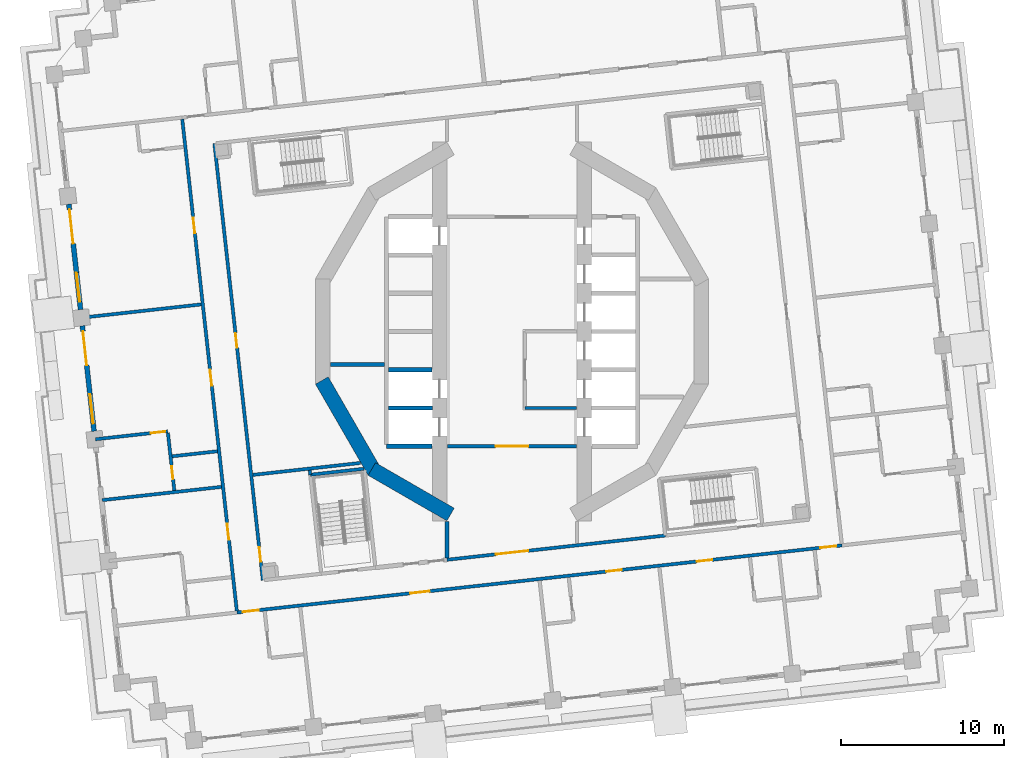
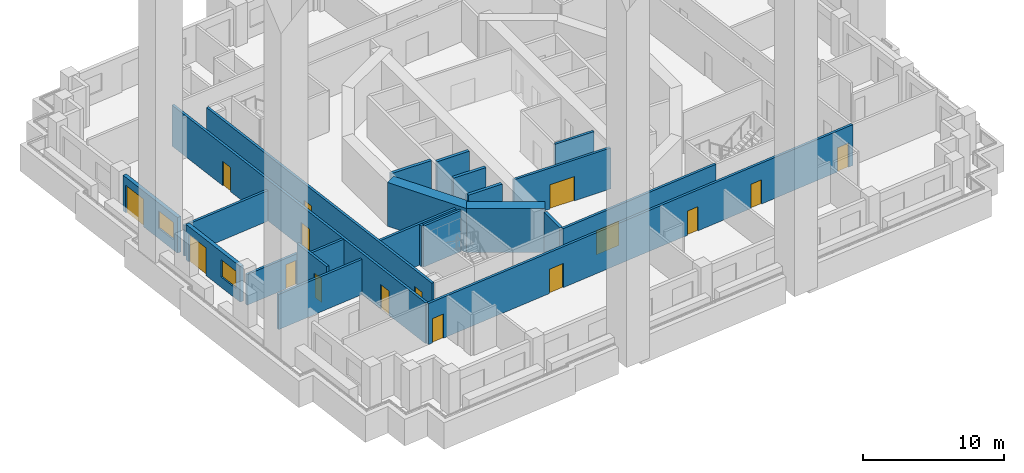
# One storey, part 4 of 20: 23 walls, 16 doors, 2 windows, 18 openings.
"""IFC4 building model written with IfcOpenShell, lengths in metres."""

from ifc_helpers import new_model, si_unit, direction, frame, frame_2d, origin, place, context, subcontext, project, spatial, rectangle, extrude, material, layer, layer_set, type_object, element, fill, save


model = new_model("IFC4")

# Units and contexts
model_context = context("Model", 3, precision=1e-05, world=origin(), true_north=direction((0.0, 1.0)))
body_context = subcontext(model_context, "Body", "Model", "MODEL_VIEW")
ifc_project = project(units=[si_unit("LENGTHUNIT", "METRE"), si_unit("AREAUNIT", "SQUARE_METRE"), si_unit("VOLUMEUNIT", "CUBIC_METRE"), si_unit("PLANEANGLEUNIT", "RADIAN"), si_unit("MASSUNIT", "GRAM", prefix="KILO")], contexts=[model_context])

# Site, building, storey
site_placement = place(None, origin())
site = spatial("IfcSite", under=ifc_project, at=site_placement, CompositionType="ELEMENT")
building_placement = place(site_placement, origin())
building = spatial("IfcBuilding", under=site, at=building_placement, Name="Cantera Rosa Tower", CompositionType="ELEMENT")
storey_placement = place(building_placement, frame((0.0, 0.0, 42.5)))
storey = spatial("IfcBuildingStorey", under=building, at=storey_placement, Name="L07", CompositionType="ELEMENT", Elevation=42.5)

# Wall, openings, doors
ifc_material_1 = material(Name="Gypsum board partition")
ifc_layer_1 = layer(ifc_material_1, 0.199951171875)
ifc_layer_set_1 = layer_set([ifc_layer_1], Name="CORRIDOR WALL 200 H3550")
wall_type_1 = type_object("IfcWallType", Name="CORRIDOR WALL 200 H3550", PredefinedType="PARTITIONING", material=ifc_layer_set_1)
wall_1_placement = place(storey_placement, frame((-20.2626953125, 13.04443359375, 0.0), z_axis=(0.0, 0.0, 1.0), x_axis=(0.110312530755, -0.993896949164, 0.0)))
wall_1 = element("IfcWall", 1, at=wall_1_placement, inside=storey, type_object=wall_type_1, Name="CORRIDOR WALL L07-009", PredefinedType="PARTITIONING", context=body_context, shape_type="SweptSolid", body=[
    extrude(rectangle(XDim=30.400146484375, YDim=0.199951171875, at=frame_2d((15.2001953125, 0.0))), origin(), (0.0, 0.0, 1.0), 3.550048828125),
])
opening_1_placement = place(wall_1_placement, frame((25.010009765625, 0.0, 0.0)))
opening_1 = element("IfcOpeningElement", 2, at=opening_1_placement, cuts=wall_1, Name="Opening L07-032", PredefinedType="OPENING", context=body_context, shape_type="SweptSolid", body=[
    extrude(rectangle(XDim=1.0, YDim=2.10009765625, at=frame_2d((0.5, 1.050048828125))), frame((0.0, 0.10986328125, 0.0), z_axis=(0.0, -1.0, 0.0), x_axis=(1.0, 0.0, 0.0)), (0.0, 0.0, 1.0), 0.219970703125),
])
opening_2_placement = place(wall_1_placement, frame((6.094970703125, 0.0, 0.0)))
opening_2 = element("IfcOpeningElement", 3, at=opening_2_placement, cuts=wall_1, Name="Opening L07-035", PredefinedType="OPENING", context=body_context, shape_type="SweptSolid", body=[
    extrude(rectangle(XDim=0.949951171875, YDim=2.10009765625, at=frame_2d((0.47509765625, 1.050048828125))), frame((0.0, 0.10986328125, 0.0), z_axis=(0.0, -1.0, 0.0), x_axis=(1.0, 0.0, 0.0)), (0.0, 0.0, 1.0), 0.219970703125),
])
opening_3_placement = place(wall_1_placement, frame((15.47998046875, 0.0, 0.0)))
opening_3 = element("IfcOpeningElement", 4, at=opening_3_placement, cuts=wall_1, Name="Opening L07-037", PredefinedType="OPENING", context=body_context, shape_type="SweptSolid", body=[
    extrude(rectangle(XDim=1.0, YDim=2.10009765625, at=frame_2d((0.5, 1.050048828125))), frame((0.0, 0.10986328125, 0.0), z_axis=(0.0, -1.0, 0.0), x_axis=(1.0, 0.0, 0.0)), (0.0, 0.0, 1.0), 0.219970703125),
])
ifc_material_2 = material(Name="Timber door leaf", Category="wood")
door_type_1 = type_object("IfcDoorType", Name="ENTRANCE DOOR 1000x2100", OperationType="NOTDEFINED", PredefinedType="DOOR", material=ifc_material_2)
door_1_placement = place(opening_1_placement, origin())
door_1 = element("IfcDoor", 5, at=door_1_placement, inside=storey, type_object=door_type_1, Name="DOOR L07-032", OperationType="NOTDEFINED", OverallHeight=2.10009765625, OverallWidth=1.0, PredefinedType="DOOR", context=body_context, shape_type="SweptSolid", body=[
    extrude(rectangle(XDim=1.0, YDim=2.10009765625, at=frame_2d((0.5, 1.050048828125))), frame((0.0, 0.02490234375, 0.0), z_axis=(0.0, -1.0, 0.0), x_axis=(1.0, 0.0, 0.0)), (0.0, 0.0, 1.0), 0.050048828125),
])
fill(opening_1, door_1)
door_2_placement = place(opening_3_placement, origin())
door_2 = element("IfcDoor", 6, at=door_2_placement, inside=storey, type_object=door_type_1, Name="DOOR L07-037", OperationType="NOTDEFINED", OverallHeight=2.10009765625, OverallWidth=1.0, PredefinedType="DOOR", context=body_context, shape_type="SweptSolid", body=[
    extrude(rectangle(XDim=1.0, YDim=2.10009765625, at=frame_2d((0.5, 1.050048828125))), frame((0.0, 0.02490234375, 0.0), z_axis=(0.0, -1.0, 0.0), x_axis=(1.0, 0.0, 0.0)), (0.0, 0.0, 1.0), 0.050048828125),
])
fill(opening_3, door_2)
ifc_material_3 = material(Name="Timber door leaf", Category="wood")
door_type_2 = type_object("IfcDoorType", Name="ROOM DOOR 950x2100", OperationType="NOTDEFINED", PredefinedType="DOOR", material=ifc_material_3)
door_3_placement = place(opening_2_placement, origin())
door_3 = element("IfcDoor", 7, at=door_3_placement, inside=storey, type_object=door_type_2, Name="DOOR L07-035", OperationType="NOTDEFINED", OverallHeight=2.10009765625, OverallWidth=0.949951171875, PredefinedType="DOOR", context=body_context, shape_type="SweptSolid", body=[
    extrude(rectangle(XDim=0.949951171875, YDim=2.10009765625, at=frame_2d((0.47509765625, 1.050048828125))), frame((0.0, 0.02490234375, 0.0), z_axis=(0.0, -1.0, 0.0), x_axis=(1.0, 0.0, 0.0)), (0.0, 0.0, 1.0), 0.050048828125),
])
fill(opening_2, door_3)

wall_2_placement = place(storey_placement, frame((-18.2861328125, 11.55322265625, 0.0), z_axis=(0.0, 0.0, 1.0), x_axis=(0.110315409641, -0.993896629633, 0.0)))
wall_2 = element("IfcWall", 8, at=wall_2_placement, inside=storey, type_object=wall_type_1, Name="CORRIDOR WALL L07-015", PredefinedType="PARTITIONING", context=body_context, shape_type="SweptSolid", body=[
    extrude(rectangle(XDim=27.0, YDim=0.199951171875, at=frame_2d((13.5, 0.0))), origin(), (0.0, 0.0, 1.0), 3.550048828125),
])
opening_4_placement = place(wall_2_placement, frame((11.719970703125, 0.0, 0.0)))
opening_4 = element("IfcOpeningElement", 9, at=opening_4_placement, cuts=wall_2, Name="Opening L07-006", PredefinedType="OPENING", context=body_context, shape_type="SweptSolid", body=[
    extrude(rectangle(XDim=0.89990234375, YDim=2.10009765625, at=frame_2d((0.449951171875, 1.050048828125))), frame((0.0, 0.10986328125, 0.0), z_axis=(0.0, -1.0, 0.0), x_axis=(1.0, 0.0, 0.0)), (0.0, 0.0, 1.0), 0.219970703125),
])
opening_5_placement = place(wall_2_placement, frame((24.949951171875, 0.0, 0.0)))
opening_5 = element("IfcOpeningElement", 10, at=opening_5_placement, cuts=wall_2, Name="Opening L07-007", PredefinedType="OPENING", context=body_context, shape_type="SweptSolid", body=[
    extrude(rectangle(XDim=0.89990234375, YDim=2.10009765625, at=frame_2d((0.449951171875, 1.050048828125))), frame((0.0, 0.10986328125, 0.0), z_axis=(0.0, -1.0, 0.0), x_axis=(1.0, 0.0, 0.0)), (0.0, 0.0, 1.0), 0.219970703125),
])
ifc_material_4 = material(Name="Timber door leaf", Category="wood")
door_type_3 = type_object("IfcDoorType", Name="SERVICE DOOR 900x2100", OperationType="NOTDEFINED", PredefinedType="DOOR", material=ifc_material_4)
door_4_placement = place(opening_4_placement, origin())
door_4 = element("IfcDoor", 11, at=door_4_placement, inside=storey, type_object=door_type_3, Name="DOOR L07-006", OperationType="NOTDEFINED", OverallHeight=2.10009765625, OverallWidth=0.89990234375, PredefinedType="DOOR", context=body_context, shape_type="SweptSolid", body=[
    extrude(rectangle(XDim=0.89990234375, YDim=2.10009765625, at=frame_2d((0.449951171875, 1.050048828125))), frame((0.0, 0.02490234375, 0.0), z_axis=(0.0, -1.0, 0.0), x_axis=(1.0, 0.0, 0.0)), (0.0, 0.0, 1.0), 0.050048828125),
])
fill(opening_4, door_4)
door_5_placement = place(opening_5_placement, origin())
door_5 = element("IfcDoor", 12, at=door_5_placement, inside=storey, type_object=door_type_3, Name="DOOR L07-007", OperationType="NOTDEFINED", OverallHeight=2.10009765625, OverallWidth=0.89990234375, PredefinedType="DOOR", context=body_context, shape_type="SweptSolid", body=[
    extrude(rectangle(XDim=0.89990234375, YDim=2.10009765625, at=frame_2d((0.449951171875, 1.050048828125))), frame((0.0, 0.02490234375, 0.0), z_axis=(0.0, -1.0, 0.0), x_axis=(1.0, 0.0, 0.0)), (0.0, 0.0, 1.0), 0.050048828125),
])
fill(opening_5, door_5)

wall_3_placement = place(storey_placement, frame((-16.898193359375, -17.26953125, 0.0), z_axis=(0.0, 0.0, 1.0), x_axis=(0.993896862852, 0.11031330841, 0.0)))
wall_3 = element("IfcWall", 13, at=wall_3_placement, inside=storey, type_object=wall_type_1, Name="CORRIDOR WALL L07-019", PredefinedType="PARTITIONING", context=body_context, shape_type="SweptSolid", body=[
    extrude(rectangle(XDim=37.400146484375, YDim=0.199951171875, at=frame_2d((18.7001953125, 0.0))), origin(), (0.0, 0.0, 1.0), 3.550048828125),
])
opening_6_placement = place(wall_3_placement, frame((10.699951171875, 0.0, 0.0)))
opening_6 = element("IfcOpeningElement", 14, at=opening_6_placement, cuts=wall_3, Name="Opening L07-040", PredefinedType="OPENING", context=body_context, shape_type="SweptSolid", body=[
    extrude(rectangle(XDim=1.199951171875, YDim=2.10009765625, at=frame_2d((0.60009765625, 1.050048828125))), frame((0.0, 0.10986328125, 0.0), z_axis=(0.0, -1.0, 0.0), x_axis=(1.0, 0.0, 0.0)), (0.0, 0.0, 1.0), 0.219970703125),
])
opening_7_placement = place(wall_3_placement, frame((28.425048828125, 0.0, 0.0)))
opening_7 = element("IfcOpeningElement", 15, at=opening_7_placement, cuts=wall_3, Name="Opening L07-041", PredefinedType="OPENING", context=body_context, shape_type="SweptSolid", body=[
    extrude(rectangle(XDim=0.949951171875, YDim=2.10009765625, at=frame_2d((0.47509765625, 1.050048828125))), frame((0.0, 0.10986328125, 0.0), z_axis=(0.0, -1.0, 0.0), x_axis=(1.0, 0.0, 0.0)), (0.0, 0.0, 1.0), 0.219970703125),
])
opening_8_placement = place(wall_3_placement, frame((22.824951171875, 0.0, 0.0)))
opening_8 = element("IfcOpeningElement", 16, at=opening_8_placement, cuts=wall_3, Name="Opening L07-043", PredefinedType="OPENING", context=body_context, shape_type="SweptSolid", body=[
    extrude(rectangle(XDim=0.949951171875, YDim=2.10009765625, at=frame_2d((0.47509765625, 1.050048828125))), frame((0.0, 0.10986328125, 0.0), z_axis=(0.0, -1.0, 0.0), x_axis=(1.0, 0.0, 0.0)), (0.0, 0.0, 1.0), 0.219970703125),
])
opening_9_placement = place(wall_3_placement, frame((0.35009765625, 0.0, 0.0)))
opening_9 = element("IfcOpeningElement", 17, at=opening_9_placement, cuts=wall_3, Name="Opening L07-045", PredefinedType="OPENING", context=body_context, shape_type="SweptSolid", body=[
    extrude(rectangle(XDim=1.0, YDim=2.10009765625, at=frame_2d((0.5, 1.050048828125))), frame((0.0, 0.10986328125, 0.0), z_axis=(0.0, -1.0, 0.0), x_axis=(1.0, 0.0, 0.0)), (0.0, 0.0, 1.0), 0.219970703125),
])
opening_10_placement = place(wall_3_placement, frame((36.050048828125, 0.0, 0.0)))
opening_10 = element("IfcOpeningElement", 18, at=opening_10_placement, cuts=wall_3, Name="Opening L07-047", PredefinedType="OPENING", context=body_context, shape_type="SweptSolid", body=[
    extrude(rectangle(XDim=1.0, YDim=2.10009765625, at=frame_2d((0.5, 1.050048828125))), frame((0.0, 0.10986328125, 0.0), z_axis=(0.0, -1.0, 0.0), x_axis=(1.0, 0.0, 0.0)), (0.0, 0.0, 1.0), 0.219970703125),
])
door_6_placement = place(opening_9_placement, origin())
door_6 = element("IfcDoor", 19, at=door_6_placement, inside=storey, type_object=door_type_1, Name="DOOR L07-045", OperationType="NOTDEFINED", OverallHeight=2.10009765625, OverallWidth=1.0, PredefinedType="DOOR", context=body_context, shape_type="SweptSolid", body=[
    extrude(rectangle(XDim=1.0, YDim=2.10009765625, at=frame_2d((0.5, 1.050048828125))), frame((0.0, 0.02490234375, 0.0), z_axis=(0.0, -1.0, 0.0), x_axis=(1.0, 0.0, 0.0)), (0.0, 0.0, 1.0), 0.050048828125),
])
fill(opening_9, door_6)
door_7_placement = place(opening_10_placement, origin())
door_7 = element("IfcDoor", 20, at=door_7_placement, inside=storey, type_object=door_type_1, Name="DOOR L07-047", OperationType="NOTDEFINED", OverallHeight=2.10009765625, OverallWidth=1.0, PredefinedType="DOOR", context=body_context, shape_type="SweptSolid", body=[
    extrude(rectangle(XDim=1.0, YDim=2.10009765625, at=frame_2d((0.5, 1.050048828125))), frame((0.0, 0.02490234375, 0.0), z_axis=(0.0, -1.0, 0.0), x_axis=(1.0, 0.0, 0.0)), (0.0, 0.0, 1.0), 0.050048828125),
])
fill(opening_10, door_7)
ifc_material_5 = material(Name="Timber door leaf", Category="wood")
door_type_4 = type_object("IfcDoorType", Name="ROOM DOOR 1200x2100", OperationType="NOTDEFINED", PredefinedType="DOOR", material=ifc_material_5)
door_8_placement = place(opening_6_placement, origin())
door_8 = element("IfcDoor", 21, at=door_8_placement, inside=storey, type_object=door_type_4, Name="DOOR L07-040", OperationType="NOTDEFINED", OverallHeight=2.10009765625, OverallWidth=1.199951171875, PredefinedType="DOOR", context=body_context, shape_type="SweptSolid", body=[
    extrude(rectangle(XDim=1.199951171875, YDim=2.10009765625, at=frame_2d((0.60009765625, 1.050048828125))), frame((0.0, 0.02490234375, 0.0), z_axis=(0.0, -1.0, 0.0), x_axis=(1.0, 0.0, 0.0)), (0.0, 0.0, 1.0), 0.050048828125),
])
fill(opening_6, door_8)
door_9_placement = place(opening_7_placement, origin())
door_9 = element("IfcDoor", 22, at=door_9_placement, inside=storey, type_object=door_type_2, Name="DOOR L07-041", OperationType="NOTDEFINED", OverallHeight=2.10009765625, OverallWidth=0.949951171875, PredefinedType="DOOR", context=body_context, shape_type="SweptSolid", body=[
    extrude(rectangle(XDim=0.949951171875, YDim=2.10009765625, at=frame_2d((0.47509765625, 1.050048828125))), frame((0.0, 0.02490234375, 0.0), z_axis=(0.0, -1.0, 0.0), x_axis=(1.0, 0.0, 0.0)), (0.0, 0.0, 1.0), 0.050048828125),
])
fill(opening_7, door_9)
door_10_placement = place(opening_8_placement, origin())
door_10 = element("IfcDoor", 23, at=door_10_placement, inside=storey, type_object=door_type_2, Name="DOOR L07-043", OperationType="NOTDEFINED", OverallHeight=2.10009765625, OverallWidth=0.949951171875, PredefinedType="DOOR", context=body_context, shape_type="SweptSolid", body=[
    extrude(rectangle(XDim=0.949951171875, YDim=2.10009765625, at=frame_2d((0.47509765625, 1.050048828125))), frame((0.0, 0.02490234375, 0.0), z_axis=(0.0, -1.0, 0.0), x_axis=(1.0, 0.0, 0.0)), (0.0, 0.0, 1.0), 0.050048828125),
])
fill(opening_8, door_10)

# Wall, opening, door
wall_4_placement = place(storey_placement, frame((-4.0, -14.02685546875, 0.0), z_axis=(0.0, 0.0, 1.0), x_axis=(0.993897619869, 0.110306487659, 0.0)))
wall_4 = element("IfcWall", 24, at=wall_4_placement, inside=storey, type_object=wall_type_1, Name="CORRIDOR WALL L07-051", PredefinedType="PARTITIONING", context=body_context, shape_type="SweptSolid", body=[
    extrude(rectangle(XDim=13.5009765625, YDim=0.199951171875, at=frame_2d((6.75048828125, 0.0))), origin(), (0.0, 0.0, 1.0), 3.550048828125),
])
opening_11_placement = place(wall_4_placement, frame((3.024658203125, 0.0, 0.0)))
opening_11 = element("IfcOpeningElement", 25, at=opening_11_placement, cuts=wall_4, Name="Opening L07-012", PredefinedType="OPENING", context=body_context, shape_type="SweptSolid", body=[
    extrude(rectangle(XDim=2.0, YDim=2.10009765625, at=frame_2d((1.0, 1.050048828125))), frame((0.0, 0.10986328125, 0.0), z_axis=(0.0, -1.0, 0.0), x_axis=(1.0, 0.0, 0.0)), (0.0, 0.0, 1.0), 0.219970703125),
])
ifc_material_6 = material(Name="Steel S355J2 (EN 10025-2)", Category="steel")
door_type_5 = type_object("IfcDoorType", Name="LOBBY SCREEN DOOR 2000x2100", OperationType="NOTDEFINED", PredefinedType="DOOR", material=ifc_material_6)
door_11_placement = place(opening_11_placement, origin())
door_11 = element("IfcDoor", 26, at=door_11_placement, inside=storey, type_object=door_type_5, Name="DOOR L07-012", OperationType="NOTDEFINED", OverallHeight=2.10009765625, OverallWidth=2.0, PredefinedType="DOOR", context=body_context, shape_type="SweptSolid", body=[
    extrude(rectangle(XDim=2.0, YDim=2.10009765625, at=frame_2d((1.0, 1.050048828125))), frame((0.0, 0.02490234375, 0.0), z_axis=(0.0, -1.0, 0.0), x_axis=(1.0, 0.0, 0.0)), (0.0, 0.0, 1.0), 0.050048828125),
])
fill(opening_11, door_11)

wall_5_placement = place(storey_placement, frame((3.969970703125, -7.050048828125, 0.0), z_axis=(0.0, 0.0, 1.0), x_axis=(-1.0, 0.0, 0.0)))
wall_5 = element("IfcWall", 27, at=wall_5_placement, inside=storey, type_object=wall_type_1, Name="CORRIDOR WALL L07-061", PredefinedType="PARTITIONING", context=body_context, shape_type="SweptSolid", body=[
    extrude(rectangle(XDim=7.93994140625, YDim=0.199951171875, at=frame_2d((3.969970703125, 0.0))), origin(), (0.0, 0.0, 1.0), 3.550048828125),
])
opening_12_placement = place(wall_5_placement, frame((2.969970703125, 0.0, 0.0)))
opening_12 = element("IfcOpeningElement", 28, at=opening_12_placement, cuts=wall_5, Name="Opening L07-013", PredefinedType="OPENING", context=body_context, shape_type="SweptSolid", body=[
    extrude(rectangle(XDim=2.0, YDim=2.10009765625, at=frame_2d((1.0, 1.050048828125))), frame((0.0, 0.10986328125, 0.0), z_axis=(0.0, -1.0, 0.0), x_axis=(1.0, 0.0, 0.0)), (0.0, 0.0, 1.0), 0.219970703125),
])
door_12_placement = place(opening_12_placement, origin())
door_12 = element("IfcDoor", 29, at=door_12_placement, inside=storey, type_object=door_type_5, Name="DOOR L07-013", OperationType="NOTDEFINED", OverallHeight=2.10009765625, OverallWidth=2.0, PredefinedType="DOOR", context=body_context, shape_type="SweptSolid", body=[
    extrude(rectangle(XDim=2.0, YDim=2.10009765625, at=frame_2d((1.0, 1.050048828125))), frame((0.0, 0.02490234375, 0.0), z_axis=(0.0, -1.0, 0.0), x_axis=(1.0, 0.0, 0.0)), (0.0, 0.0, 1.0), 0.050048828125),
])
fill(opening_12, door_12)

# Wall, openings, window, door
ifc_material_7 = material(Name="Hollow clay masonry with cantera stone cladding", Category="masonry")
ifc_layer_2 = layer(ifc_material_7, 0.300048828125)
ifc_layer_set_2 = layer_set([ifc_layer_2], Name="EW-LOGGIA 300 H3090")
wall_type_2 = type_object("IfcWallType", Name="EW-LOGGIA 300 H3090", PredefinedType="SOLIDWALL", material=ifc_layer_set_2)
wall_6_placement = place(storey_placement, frame((-27.229248046875, 7.823974609375, 0.0), z_axis=(0.0, 0.0, 1.0), x_axis=(0.110312341265, -0.993896970196, 0.0)))
wall_6 = element("IfcWall", 30, at=wall_6_placement, inside=storey, type_object=wall_type_2, Name="EN-L07-W17", PredefinedType="SOLIDWALL", context=body_context, shape_type="SweptSolid", body=[
    extrude(rectangle(XDim=6.52001953125, YDim=0.300048828125, at=frame_2d((3.260009765625, 0.0))), origin(), (0.0, 0.0, 1.0), 3.090087890625),
])
opening_13_placement = place(wall_6_placement, frame((0.330078125, 0.0, 0.0)))
opening_13 = element("IfcOpeningElement", 31, at=opening_13_placement, cuts=wall_6, Name="Opening L07-TD21", PredefinedType="OPENING", context=body_context, shape_type="SweptSolid", body=[
    extrude(rectangle(XDim=2.10009765625, YDim=2.39990234375, at=frame_2d((1.050048828125, 1.199951171875))), frame((0.0, 0.159912109375, 0.0), z_axis=(0.0, -1.0, 0.0), x_axis=(1.0, 0.0, 0.0)), (0.0, 0.0, 1.0), 0.320068359375),
])
opening_14_placement = place(wall_6_placement, frame((4.239990234375, 0.0, 0.89990234375)))
opening_14 = element("IfcOpeningElement", 32, at=opening_14_placement, cuts=wall_6, Name="Opening L07-W22", PredefinedType="OPENING", context=body_context, shape_type="SweptSolid", body=[
    extrude(rectangle(XDim=1.800048828125, YDim=1.5, at=frame_2d((0.89990234375, 0.75))), frame((0.0, 0.159912109375, 0.0), z_axis=(0.0, -1.0, 0.0), x_axis=(1.0, 0.0, 0.0)), (0.0, 0.0, 1.0), 0.320068359375),
])
ifc_material_8 = material(Name="Aluminium frame with clear glass", Category="aluminium")
window_type = type_object("IfcWindowType", Name="Hotel room window 1800x1500", PartitioningType="DOUBLE_PANEL_VERTICAL", PredefinedType="WINDOW", material=ifc_material_8)
window_1_placement = place(opening_14_placement, origin())
window_1 = element("IfcWindow", 33, at=window_1_placement, inside=storey, type_object=window_type, Name="WINDOW L07-W22", OverallHeight=1.5, OverallWidth=1.800048828125, PartitioningType="SINGLE_PANEL", PredefinedType="WINDOW", context=body_context, shape_type="SweptSolid", body=[
    extrude(rectangle(XDim=1.800048828125, YDim=1.5, at=frame_2d((0.89990234375, 0.75))), frame((0.0, 0.030029296875, 0.0), z_axis=(0.0, -1.0, 0.0), x_axis=(1.0, 0.0, 0.0)), (0.0, 0.0, 1.0), 0.06005859375),
])
fill(opening_14, window_1)
ifc_material_9 = material(Name="Aluminium frame with clear glass", Category="aluminium")
door_type_6 = type_object("IfcDoorType", Name="TD-H 2100x2400", OperationType="NOTDEFINED", PredefinedType="DOOR", material=ifc_material_9)
door_13_placement = place(opening_13_placement, origin())
door_13 = element("IfcDoor", 34, at=door_13_placement, inside=storey, type_object=door_type_6, Name="LOGGIA DOOR L07-TD21", OperationType="SLIDING_TO_LEFT", OverallHeight=2.39990234375, OverallWidth=2.10009765625, PredefinedType="DOOR", context=body_context, shape_type="SweptSolid", body=[
    extrude(rectangle(XDim=2.10009765625, YDim=2.39990234375, at=frame_2d((1.050048828125, 1.199951171875))), frame((0.0, 0.02490234375, 0.0), z_axis=(0.0, -1.0, 0.0), x_axis=(1.0, 0.0, 0.0)), (0.0, 0.0, 1.0), 0.050048828125),
])
fill(opening_13, door_13)

wall_7_placement = place(storey_placement, frame((-26.399658203125, 0.349853515625, 0.0), z_axis=(0.0, 0.0, 1.0), x_axis=(0.110312341265, -0.993896970196, 0.0)))
wall_7 = element("IfcWall", 35, at=wall_7_placement, inside=storey, type_object=wall_type_2, Name="EN-L07-W18", PredefinedType="SOLIDWALL", context=body_context, shape_type="SweptSolid", body=[
    extrude(rectangle(XDim=6.52001953125, YDim=0.300048828125, at=frame_2d((3.260009765625, 0.0))), origin(), (0.0, 0.0, 1.0), 3.090087890625),
])
opening_15_placement = place(wall_7_placement, frame((0.330078125, 0.0, 0.0)))
opening_15 = element("IfcOpeningElement", 36, at=opening_15_placement, cuts=wall_7, Name="Opening L07-TD23", PredefinedType="OPENING", context=body_context, shape_type="SweptSolid", body=[
    extrude(rectangle(XDim=2.10009765625, YDim=2.39990234375, at=frame_2d((1.050048828125, 1.199951171875))), frame((0.0, 0.159912109375, 0.0), z_axis=(0.0, -1.0, 0.0), x_axis=(1.0, 0.0, 0.0)), (0.0, 0.0, 1.0), 0.320068359375),
])
opening_16_placement = place(wall_7_placement, frame((4.239990234375, 0.0, 0.89990234375)))
opening_16 = element("IfcOpeningElement", 37, at=opening_16_placement, cuts=wall_7, Name="Opening L07-W24", PredefinedType="OPENING", context=body_context, shape_type="SweptSolid", body=[
    extrude(rectangle(XDim=1.800048828125, YDim=1.5, at=frame_2d((0.89990234375, 0.75))), frame((0.0, 0.159912109375, 0.0), z_axis=(0.0, -1.0, 0.0), x_axis=(1.0, 0.0, 0.0)), (0.0, 0.0, 1.0), 0.320068359375),
])
window_2_placement = place(opening_16_placement, origin())
window_2 = element("IfcWindow", 38, at=window_2_placement, inside=storey, type_object=window_type, Name="WINDOW L07-W24", OverallHeight=1.5, OverallWidth=1.800048828125, PartitioningType="SINGLE_PANEL", PredefinedType="WINDOW", context=body_context, shape_type="SweptSolid", body=[
    extrude(rectangle(XDim=1.800048828125, YDim=1.5, at=frame_2d((0.89990234375, 0.75))), frame((0.0, 0.030029296875, 0.0), z_axis=(0.0, -1.0, 0.0), x_axis=(1.0, 0.0, 0.0)), (0.0, 0.0, 1.0), 0.06005859375),
])
fill(opening_16, window_2)
door_14_placement = place(opening_15_placement, origin())
door_14 = element("IfcDoor", 39, at=door_14_placement, inside=storey, type_object=door_type_6, Name="LOGGIA DOOR L07-TD23", OperationType="SLIDING_TO_LEFT", OverallHeight=2.39990234375, OverallWidth=2.10009765625, PredefinedType="DOOR", context=body_context, shape_type="SweptSolid", body=[
    extrude(rectangle(XDim=2.10009765625, YDim=2.39990234375, at=frame_2d((1.050048828125, 1.199951171875))), frame((0.0, 0.02490234375, 0.0), z_axis=(0.0, -1.0, 0.0), x_axis=(1.0, 0.0, 0.0)), (0.0, 0.0, 1.0), 0.050048828125),
])
fill(opening_15, door_14)

# Wall, opening, door
ifc_material_10 = material(Name="Gypsum board partition")
ifc_layer_3 = layer(ifc_material_10, 0.199951171875)
ifc_layer_set_3 = layer_set([ifc_layer_3], Name="PARTITION 200 H2650")
wall_type_3 = type_object("IfcWallType", Name="PARTITION 200 H2650", PredefinedType="PARTITIONING", material=ifc_layer_set_3)
wall_8_placement = place(storey_placement, frame((-25.595458984375, -6.623779296875, 0.0), z_axis=(0.0, 0.0, 1.0), x_axis=(0.993901040656, 0.110275660883, 0.0)))
wall_8 = element("IfcWall", 40, at=wall_8_placement, inside=storey, type_object=wall_type_3, Name="PARTITION L07-001", PredefinedType="PARTITIONING", context=body_context, shape_type="SweptSolid", body=[
    extrude(rectangle(XDim=4.469970703125, YDim=0.199951171875, at=frame_2d((2.23486328125, 0.0))), origin(), (0.0, 0.0, 1.0), 2.64990234375),
])
opening_17_placement = place(wall_8_placement, frame((3.419921875, 0.0, 0.0)))
opening_17 = element("IfcOpeningElement", 41, at=opening_17_placement, cuts=wall_8, Name="Opening L07-038", PredefinedType="OPENING", context=body_context, shape_type="SweptSolid", body=[
    extrude(rectangle(XDim=0.89990234375, YDim=2.10009765625, at=frame_2d((0.449951171875, 1.050048828125))), frame((0.0, 0.10986328125, 0.0), z_axis=(0.0, -1.0, 0.0), x_axis=(1.0, 0.0, 0.0)), (0.0, 0.0, 1.0), 0.219970703125),
])
ifc_material_11 = material(Name="Timber door leaf", Category="wood")
door_type_7 = type_object("IfcDoorType", Name="ROOM DOOR 900x2100", OperationType="NOTDEFINED", PredefinedType="DOOR", material=ifc_material_11)
door_15_placement = place(opening_17_placement, origin())
door_15 = element("IfcDoor", 42, at=door_15_placement, inside=storey, type_object=door_type_7, Name="DOOR L07-038", OperationType="NOTDEFINED", OverallHeight=2.10009765625, OverallWidth=0.89990234375, PredefinedType="DOOR", context=body_context, shape_type="SweptSolid", body=[
    extrude(rectangle(XDim=0.89990234375, YDim=2.10009765625, at=frame_2d((0.449951171875, 1.050048828125))), frame((0.0, 0.02490234375, 0.0), z_axis=(0.0, -1.0, 0.0), x_axis=(1.0, 0.0, 0.0)), (0.0, 0.0, 1.0), 0.050048828125),
])
fill(opening_17, door_15)

ifc_material_12 = material(Name="Gypsum board partition")
ifc_layer_4 = layer(ifc_material_12, 0.199951171875)
ifc_layer_set_4 = layer_set([ifc_layer_4], Name="PARTITION 200 H3550")
wall_type_4 = type_object("IfcWallType", Name="PARTITION 200 H3550", PredefinedType="PARTITIONING", material=ifc_layer_set_4)
wall_9_placement = place(storey_placement, frame((-21.141845703125, -6.230224609375, 0.0), z_axis=(0.0, 0.0, 1.0), x_axis=(0.110341204028, -0.993893766302, 0.0)))
wall_9 = element("IfcWall", 43, at=wall_9_placement, inside=storey, type_object=wall_type_4, Name="PARTITION L07-005", PredefinedType="PARTITIONING", context=body_context, shape_type="SweptSolid", body=[
    extrude(rectangle(XDim=3.56005859375, YDim=0.199951171875, at=frame_2d((1.780029296875, 0.0))), origin(), (0.0, 0.0, 1.0), 3.550048828125),
])
opening_18_placement = place(wall_9_placement, frame((2.050048828125, 0.0, 0.0)))
opening_18 = element("IfcOpeningElement", 44, at=opening_18_placement, cuts=wall_9, Name="Opening L07-039", PredefinedType="OPENING", context=body_context, shape_type="SweptSolid", body=[
    extrude(rectangle(XDim=0.800048828125, YDim=2.10009765625, at=frame_2d((0.39990234375, 1.050048828125))), frame((0.0, 0.10986328125, 0.0), z_axis=(0.0, -1.0, 0.0), x_axis=(1.0, 0.0, 0.0)), (0.0, 0.0, 1.0), 0.219970703125),
])
ifc_material_13 = material(Name="Timber door leaf", Category="wood")
door_type_8 = type_object("IfcDoorType", Name="BATHROOM DOOR 800x2100", OperationType="NOTDEFINED", PredefinedType="DOOR", material=ifc_material_13)
door_16_placement = place(opening_18_placement, origin())
door_16 = element("IfcDoor", 45, at=door_16_placement, inside=storey, type_object=door_type_8, Name="DOOR L07-039", OperationType="NOTDEFINED", OverallHeight=2.10009765625, OverallWidth=0.800048828125, PredefinedType="DOOR", context=body_context, shape_type="SweptSolid", body=[
    extrude(rectangle(XDim=0.800048828125, YDim=2.10009765625, at=frame_2d((0.39990234375, 1.050048828125))), frame((0.0, 0.02490234375, 0.0), z_axis=(0.0, -1.0, 0.0), x_axis=(1.0, 0.0, 0.0)), (0.0, 0.0, 1.0), 0.050048828125),
])
fill(opening_18, door_16)

# Walls
wall_10_placement = place(storey_placement, frame((-20.88134765625, -7.67041015625, 0.0), z_axis=(0.0, 0.0, 1.0), x_axis=(0.99388905004, 0.110383677283, 0.0)))
element("IfcWall", 46, at=wall_10_placement, inside=storey, type_object=wall_type_4, Name="PARTITION L07-006", PredefinedType="PARTITIONING", context=body_context, shape_type="SweptSolid", body=[
    extrude(rectangle(XDim=2.800048828125, YDim=0.199951171875, at=frame_2d((1.39990234375, 0.0))), origin(), (0.0, 0.0, 1.0), 3.550048828125),
])
wall_11_placement = place(storey_placement, frame((-12.4267578125, -8.522705078125, 0.0), z_axis=(0.0, 0.0, 1.0), x_axis=(0.109956380259, -0.993936413681, 0.0)))
element("IfcWall", 47, at=wall_11_placement, inside=storey, type_object=wall_type_4, Name="PARTITION L07-032", PredefinedType="PARTITIONING", context=body_context, shape_type="SweptSolid", body=[
    extrude(rectangle(XDim=0.281982421875, YDim=0.199951171875, at=frame_2d((0.14111328125, 0.0))), origin(), (0.0, 0.0, 1.0), 3.550048828125),
])
wall_12_placement = place(storey_placement, frame((-9.3134765625, -8.07666015625, 0.0), z_axis=(0.0, 0.0, 1.0), x_axis=(-0.993896259816, -0.110318741489, 0.0)))
element("IfcWall", 48, at=wall_12_placement, inside=storey, type_object=wall_type_4, Name="PARTITION L07-040", PredefinedType="PARTITIONING", context=body_context, shape_type="SweptSolid", body=[
    extrude(rectangle(XDim=6.65234375, YDim=0.199951171875, at=frame_2d((3.326171875, 0.0))), origin(), (0.0, 0.0, 1.0), 3.550048828125),
])
ifc_material_14 = material(Name="Gypsum board partition")
ifc_layer_5 = layer(ifc_material_14, 0.199951171875)
ifc_layer_set_5 = layer_set([ifc_layer_5], Name="PARTY WALL 200 H2650")
wall_type_5 = type_object("IfcWallType", Name="PARTY WALL 200 H2650", PredefinedType="PARTITIONING", material=ifc_layer_set_5)
wall_13_placement = place(storey_placement, frame((-19.10009765625, 1.6630859375, 0.0), z_axis=(0.0, 0.0, 1.0), x_axis=(-0.993897058864, -0.11031154238, 0.0)))
element("IfcWall", 49, at=wall_13_placement, inside=storey, type_object=wall_type_5, Name="PARTY WALL L07-012", PredefinedType="PARTITIONING", context=body_context, shape_type="SweptSolid", body=[
    extrude(rectangle(XDim=7.369873046875, YDim=0.199951171875, at=frame_2d((3.68505859375, 0.0))), origin(), (0.0, 0.0, 1.0), 2.64990234375),
])
ifc_material_15 = material(Name="Gypsum board partition")
ifc_layer_6 = layer(ifc_material_15, 0.199951171875)
ifc_layer_set_6 = layer_set([ifc_layer_6], Name="PARTY WALL 200 H3050")
wall_type_6 = type_object("IfcWallType", Name="PARTY WALL 200 H3050", PredefinedType="PARTITIONING", material=ifc_layer_set_6)
wall_14_placement = place(storey_placement, frame((-17.855712890625, -9.548095703125, 0.0), z_axis=(0.0, 0.0, 1.0), x_axis=(-0.993897058864, -0.11031154238, 0.0)))
element("IfcWall", 50, at=wall_14_placement, inside=storey, type_object=wall_type_6, Name="PARTY WALL L07-017", PredefinedType="PARTITIONING", context=body_context, shape_type="SweptSolid", body=[
    extrude(rectangle(XDim=7.369873046875, YDim=0.199951171875, at=frame_2d((3.68505859375, 0.0))), origin(), (0.0, 0.0, 1.0), 3.050048828125),
])
ifc_material_16 = material(Name="Concrete C70/85", Category="concrete")
ifc_layer_7 = layer(ifc_material_16, 0.89990234375)
ifc_layer_set_7 = layer_set([ifc_layer_7], Name="RC CORE WALL 900 C70/85")
wall_type_7 = type_object("IfcWallType", Name="RC CORE WALL 900 C70/85", PredefinedType="SHEAR", material=ifc_layer_set_7)
wall_15_placement = place(storey_placement, frame((-3.77490234375, -11.242919921875, 0.0), z_axis=(0.0, 0.0, 1.0), x_axis=(-0.866026961591, 0.49999730179, 0.0)))
element("IfcWall", 51, at=wall_15_placement, inside=storey, type_object=wall_type_7, Name="CW-W1 L07", PredefinedType="SHEAR", context=body_context, shape_type="SweptSolid", body=[
    extrude(rectangle(XDim=5.58740234375, YDim=0.89990234375, at=frame_2d((2.793701171875, 0.0))), origin(), (0.0, 0.0, 1.0), 3.800048828125),
])
wall_16_placement = place(storey_placement, frame((-8.44921875, -8.61376953125, 0.0), z_axis=(0.0, 0.0, 1.0), x_axis=(-0.499990282633, 0.866031014036, 0.0)))
element("IfcWall", 52, at=wall_16_placement, inside=storey, type_object=wall_type_7, Name="CW-W2 L07", PredefinedType="SHEAR", context=body_context, shape_type="SweptSolid", body=[
    extrude(rectangle(XDim=6.470458984375, YDim=0.89990234375, at=frame_2d((3.2353515625, 0.0))), origin(), (0.0, 0.0, 1.0), 3.800048828125),
])
ifc_material_17 = material(Name="Masonry blockwork", Category="masonry")
ifc_layer_8 = layer(ifc_material_17, 0.25)
ifc_layer_set_8 = layer_set([ifc_layer_8], Name="SHAFT WALL 250 H3550")
wall_type_8 = type_object("IfcWallType", Name="SHAFT WALL 250 H3550", PredefinedType="SOLIDWALL", material=ifc_layer_set_8)
wall_17_placement = place(storey_placement, frame((-11.14404296875, -2.0146484375, 0.0), z_axis=(0.0, 0.0, 1.0), x_axis=(1.0, 0.0, 0.0)))
element("IfcWall", 53, at=wall_17_placement, inside=storey, type_object=wall_type_8, Name="SHAFT WALL L07-037", PredefinedType="SOLIDWALL", context=body_context, shape_type="SweptSolid", body=[
    extrude(rectangle(XDim=3.319091796875, YDim=0.25, at=frame_2d((1.65966796875, 0.0))), origin(), (0.0, 0.0, 1.0), 3.550048828125),
])
wall_18_placement = place(storey_placement, frame((-7.699951171875, -7.050048828125, 0.0), z_axis=(0.0, 0.0, 1.0), x_axis=(1.0, 0.0, 0.0)))
element("IfcWall", 54, at=wall_18_placement, inside=storey, type_object=wall_type_8, Name="SHAFT WALL L07-043", PredefinedType="SOLIDWALL", context=body_context, shape_type="SweptSolid", body=[
    extrude(rectangle(XDim=2.77001953125, YDim=0.25, at=frame_2d((1.385009765625, 0.0))), origin(), (0.0, 0.0, 1.0), 3.550048828125),
])
wall_19_placement = place(storey_placement, frame((-7.574951171875, -4.699951171875, 0.0), z_axis=(0.0, 0.0, 1.0), x_axis=(1.0, 0.0, 0.0)))
element("IfcWall", 55, at=wall_19_placement, inside=storey, type_object=wall_type_8, Name="SHAFT WALL L07-044", PredefinedType="SOLIDWALL", context=body_context, shape_type="SweptSolid", body=[
    extrude(rectangle(XDim=2.675048828125, YDim=0.25, at=frame_2d((1.33740234375, 0.0))), origin(), (0.0, 0.0, 1.0), 3.550048828125),
])
wall_20_placement = place(storey_placement, frame((-7.574951171875, -2.35009765625, 0.0), z_axis=(0.0, 0.0, 1.0), x_axis=(1.0, 0.0, 0.0)))
element("IfcWall", 56, at=wall_20_placement, inside=storey, type_object=wall_type_8, Name="SHAFT WALL L07-045", PredefinedType="SOLIDWALL", context=body_context, shape_type="SweptSolid", body=[
    extrude(rectangle(XDim=2.64501953125, YDim=0.25, at=frame_2d((1.322509765625, 0.0))), origin(), (0.0, 0.0, 1.0), 3.550048828125),
])
wall_21_placement = place(storey_placement, frame((-4.0, -11.667236328125, 0.0), z_axis=(0.0, 0.0, 1.0), x_axis=(0.0, -1.0, 0.0)))
element("IfcWall", 57, at=wall_21_placement, inside=storey, type_object=wall_type_8, Name="SHAFT WALL L07-052", PredefinedType="SOLIDWALL", context=body_context, shape_type="SweptSolid", body=[
    extrude(rectangle(XDim=2.23974609375, YDim=0.25, at=frame_2d((1.119873046875, 0.0))), origin(), (0.0, 0.0, 1.0), 3.550048828125),
])
ifc_material_18 = material(Name="Concrete C50/60", Category="concrete")
ifc_layer_9 = layer(ifc_material_18, 0.199951171875)
ifc_layer_set_9 = layer_set([ifc_layer_9], Name="STAIR WALL 200 H3550")
wall_type_9 = type_object("IfcWallType", Name="STAIR WALL 200 H3550", PredefinedType="SOLIDWALL", material=ifc_layer_set_9)
wall_22_placement = place(storey_placement, frame((-12.395751953125, -8.802978515625, 0.0), z_axis=(0.0, 0.0, 1.0), x_axis=(0.993897215684, 0.110310129436, 0.0)))
element("IfcWall", 58, at=wall_22_placement, inside=storey, type_object=wall_type_9, Name="STAIR WALL L07-034", PredefinedType="SOLIDWALL", context=body_context, shape_type="SweptSolid", body=[
    extrude(rectangle(XDim=3.31103515625, YDim=0.199951171875, at=frame_2d((1.655517578125, 0.0))), origin(), (0.0, 0.0, 1.0), 3.550048828125),
])
wall_23_placement = place(storey_placement, frame((3.969970703125, -4.699951171875, 0.0), z_axis=(0.0, 0.0, 1.0), x_axis=(-1.0, 0.0, 0.0)))
element("IfcWall", 59, at=wall_23_placement, inside=storey, type_object=wall_type_9, Name="STAIR WALL L07-062", PredefinedType="SOLIDWALL", context=body_context, shape_type="SweptSolid", body=[
    extrude(rectangle(XDim=3.169921875, YDim=0.199951171875, at=frame_2d((1.5849609375, 0.0))), origin(), (0.0, 0.0, 1.0), 3.550048828125),
])

save(model, "model.ifc")
